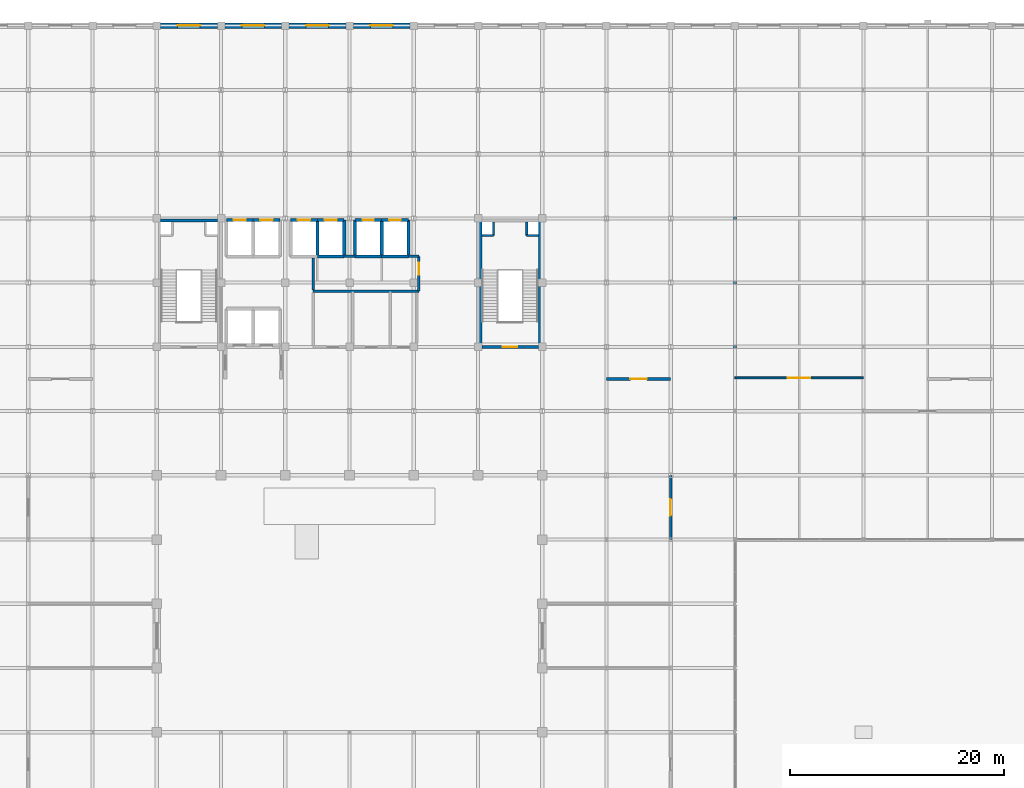
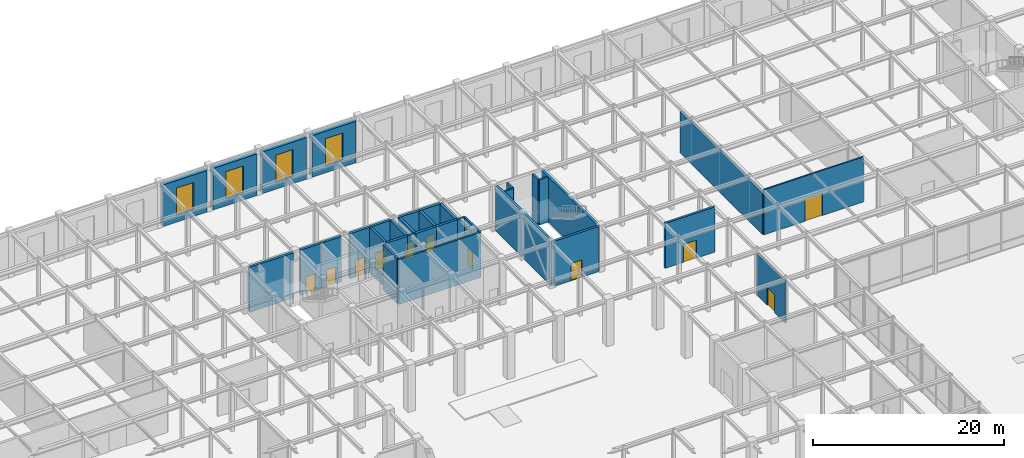
# One storey, part 102 of 108: 35 walls, 11 doors, 4 windows, 15 openings.
"""IFC4 building model written with IfcOpenShell, lengths in metres."""

from ifc_helpers import new_model, si_unit, direction, frame, frame_2d, origin, place, context, subcontext, project, spatial, rectangle, extrude, material, layer, layer_set, type_object, element, fill, save


model = new_model("IFC4")

# Units and contexts
model_context = context("Model", 3, precision=1e-05, world=origin(), true_north=direction((0.0, 1.0)))
body_context = subcontext(model_context, "Body", "Model", "MODEL_VIEW")
ifc_project = project(units=[si_unit("LENGTHUNIT", "METRE"), si_unit("AREAUNIT", "SQUARE_METRE"), si_unit("VOLUMEUNIT", "CUBIC_METRE"), si_unit("PLANEANGLEUNIT", "RADIAN"), si_unit("MASSUNIT", "GRAM", prefix="KILO")], contexts=[model_context])

# Site, building, storey
site_placement = place(None, origin())
site = spatial("IfcSite", under=ifc_project, at=site_placement, CompositionType="ELEMENT")
building_placement = place(site_placement, origin())
building = spatial("IfcBuilding", under=site, at=building_placement, Name="Zlatovratsky Civic Hall", CompositionType="ELEMENT")
storey_placement = place(building_placement, frame((0.0, 0.0, 6.0)))
storey = spatial("IfcBuildingStorey", under=building, at=storey_placement, Name="L02", CompositionType="ELEMENT", Elevation=6.0)

# Wall, opening, door
ifc_material_1 = material(Name="Acoustic ceramic blockwork", Category="masonry")
ifc_layer_1 = layer(ifc_material_1, 0.179931640625)
ifc_layer_set_1 = layer_set([ifc_layer_1], Name="Acoustic ceramic blockwork")
wall_type_1 = type_object("IfcWallType", Name="Wall_AcousticChamberPartition_180", PredefinedType="PARTITIONING", material=ifc_layer_set_1)
wall_1_placement = place(storey_placement, frame((120.0, 81.10009765625, 0.0), z_axis=(0.0, 0.0, 1.0), x_axis=(1.0, 0.0, 0.0)))
wall_1 = element("IfcWall", 1, at=wall_1_placement, inside=storey, type_object=wall_type_1, Name="WL-6128", PredefinedType="PARTITIONING", context=body_context, shape_type="SweptSolid", body=[
    extrude(rectangle(XDim=12.0, YDim=0.179931640625, at=frame_2d((6.0, 0.0))), origin(), (0.0, 0.0, 1.0), 5.760009765625),
])
opening_1_placement = place(wall_1_placement, frame((4.949951171875, 0.0, 0.0)))
opening_1 = element("IfcOpeningElement", 2, at=opening_1_placement, cuts=wall_1, Name="Opening D-11", PredefinedType="OPENING", context=body_context, shape_type="SweptSolid", body=[
    extrude(rectangle(XDim=2.10009765625, YDim=2.89990234375, at=frame_2d((1.050048828125, 1.449951171875))), frame((0.0, 0.10498046875, 0.0), z_axis=(0.0, -1.0, 0.0), x_axis=(1.0, 0.0, 0.0)), (0.0, 0.0, 1.0), 0.209716796875),
])
ifc_material_2 = material(Name="Solid oak joinery in steel frame", Category="steel")
door_type_1 = type_object("IfcDoorType", Name="Door_ChamberFoyerDouble_2100x2900", OperationType="DOUBLE_DOOR_SINGLE_SWING", PredefinedType="DOOR", material=ifc_material_2)
door_1_placement = place(opening_1_placement, origin())
door_1 = element("IfcDoor", 3, at=door_1_placement, inside=storey, type_object=door_type_1, Name="DR-5269", OperationType="DOUBLE_DOOR_SINGLE_SWING", OverallHeight=2.89990234375, OverallWidth=2.10009765625, PredefinedType="DOOR", context=body_context, shape_type="SweptSolid", body=[
    extrude(rectangle(XDim=2.10009765625, YDim=2.89990234375, at=frame_2d((1.050048828125, 1.449951171875))), frame((0.0, 0.02490234375, 0.0), z_axis=(0.0, -1.0, 0.0), x_axis=(1.0, 0.0, 0.0)), (0.0, 0.0, 1.0), 0.050048828125),
])
fill(opening_1, door_1)

ifc_layer_2 = layer(ifc_material_1, 0.260009765625)
ifc_layer_set_2 = layer_set([ifc_layer_2], Name="Acoustic ceramic blockwork")
wall_type_2 = type_object("IfcWallType", Name="Wall_ArchiveCompartment_260", PredefinedType="PARTITIONING", material=ifc_layer_set_2)
wall_2_placement = place(storey_placement, frame((108.0, 81.0, 0.0), z_axis=(0.0, 0.0, 1.0), x_axis=(1.0, 0.0, 0.0)))
wall_2 = element("IfcWall", 4, at=wall_2_placement, inside=storey, type_object=wall_type_2, Name="WL-6135", PredefinedType="PARTITIONING", context=body_context, shape_type="SweptSolid", body=[
    extrude(rectangle(XDim=6.0, YDim=0.260009765625, at=frame_2d((3.0, 0.0))), origin(), (0.0, 0.0, 1.0), 5.760009765625),
])
opening_2_placement = place(wall_2_placement, frame((2.22509765625, 0.0, 0.0)))
opening_2 = element("IfcOpeningElement", 5, at=opening_2_placement, cuts=wall_2, Name="Opening D-15", PredefinedType="OPENING", context=body_context, shape_type="SweptSolid", body=[
    extrude(rectangle(XDim=1.550048828125, YDim=2.300048828125, at=frame_2d((0.77490234375, 1.14990234375))), frame((0.0, 0.14501953125, 0.0), z_axis=(0.0, -1.0, 0.0), x_axis=(1.0, 0.0, 0.0)), (0.0, 0.0, 1.0), 0.289794921875),
])
ifc_material_3 = material(Name="Insulated painted fire-rated steel leaf", Category="steel")
door_type_2 = type_object("IfcDoorType", Name="Door_CompactArchiveFire_1550x2300", OperationType="DOUBLE_DOOR_SINGLE_SWING", PredefinedType="DOOR", material=ifc_material_3)
door_2_placement = place(opening_2_placement, origin())
door_2 = element("IfcDoor", 6, at=door_2_placement, inside=storey, type_object=door_type_2, Name="DR-5276", OperationType="DOUBLE_DOOR_SINGLE_SWING", OverallHeight=2.300048828125, OverallWidth=1.550048828125, PredefinedType="DOOR", context=body_context, shape_type="SweptSolid", body=[
    extrude(rectangle(XDim=1.550048828125, YDim=2.300048828125, at=frame_2d((0.77490234375, 1.14990234375))), frame((0.0, 0.02490234375, 0.0), z_axis=(0.0, -1.0, 0.0), x_axis=(1.0, 0.0, 0.0)), (0.0, 0.0, 1.0), 0.050048828125),
])
fill(opening_2, door_2)

wall_3_placement = place(storey_placement, frame((114.0, 66.0, 0.0), z_axis=(0.0, 0.0, 1.0), x_axis=(0.0, 1.0, 0.0)))
wall_3 = element("IfcWall", 7, at=wall_3_placement, inside=storey, type_object=wall_type_2, Name="WL-6140", PredefinedType="PARTITIONING", context=body_context, shape_type="SweptSolid", body=[
    extrude(rectangle(XDim=6.0, YDim=0.260009765625, at=frame_2d((3.0, 0.0))), origin(), (0.0, 0.0, 1.0), 5.320068359375),
])
opening_3_placement = place(wall_3_placement, frame((2.22509765625, 0.0, 0.0)))
opening_3 = element("IfcOpeningElement", 8, at=opening_3_placement, cuts=wall_3, Name="Opening D-15", PredefinedType="OPENING", context=body_context, shape_type="SweptSolid", body=[
    extrude(rectangle(XDim=1.550048828125, YDim=2.300048828125, at=frame_2d((0.77490234375, 1.14990234375))), frame((0.0, 0.14501953125, 0.0), z_axis=(0.0, -1.0, 0.0), x_axis=(1.0, 0.0, 0.0)), (0.0, 0.0, 1.0), 0.289794921875),
])
door_3_placement = place(opening_3_placement, origin())
door_3 = element("IfcDoor", 9, at=door_3_placement, inside=storey, type_object=door_type_2, Name="DR-5281", OperationType="DOUBLE_DOOR_SINGLE_SWING", OverallHeight=2.300048828125, OverallWidth=1.550048828125, PredefinedType="DOOR", context=body_context, shape_type="SweptSolid", body=[
    extrude(rectangle(XDim=1.550048828125, YDim=2.300048828125, at=frame_2d((0.77490234375, 1.14990234375))), frame((0.0, 0.02490234375, 0.0), z_axis=(0.0, -1.0, 0.0), x_axis=(1.0, 0.0, 0.0)), (0.0, 0.0, 1.0), 0.050048828125),
])
fill(opening_3, door_3)

# Wall
wall_4_placement = place(storey_placement, frame((120.0, 81.14990234375, 0.0), z_axis=(0.0, 0.0, 1.0), x_axis=(0.0, 1.0, 0.0)))
element("IfcWall", 10, at=wall_4_placement, inside=storey, type_object=wall_type_2, Name="WL-6145", PredefinedType="PARTITIONING", context=body_context, shape_type="SweptSolid", body=[
    extrude(rectangle(XDim=17.2001953125, YDim=0.260009765625, at=frame_2d((8.60009765625, 0.0))), origin(), (0.0, 0.0, 1.0), 5.320068359375),
])

# Wall, opening, window
ifc_layer_3 = layer(ifc_material_1, 0.39990234375, Name="Backing")
ifc_material_4 = material(Name="Polished Karelian granite ashlar", Category="masonry")
ifc_layer_4 = layer(ifc_material_4, 0.139892578125, Name="Finish")
ifc_layer_set_3 = layer_set([ifc_layer_3, ifc_layer_4], Name="Acoustic ceramic blockwork")
wall_type_3 = type_object("IfcWallType", Name="Wall_PodiumGraniteArcade_540", PredefinedType="SOLIDWALL", material=ifc_layer_set_3)
wall_5_placement = place(storey_placement, frame((66.35009765625, 114.0, 0.0), z_axis=(0.0, 0.0, 1.0), x_axis=(1.0, 0.0, 0.0)))
wall_5 = element("IfcWall", 11, at=wall_5_placement, inside=storey, type_object=wall_type_3, Name="WL-0193", PredefinedType="SOLIDWALL", context=body_context, shape_type="SweptSolid", body=[
    extrude(rectangle(XDim=5.2998046875, YDim=0.5400390625, at=frame_2d((2.64990234375, 0.0))), origin(), (0.0, 0.0, 1.0), 5.31005859375),
])
opening_4_placement = place(wall_5_placement, frame((1.60009765625, 0.0, 0.85009765625)))
opening_4 = element("IfcOpeningElement", 12, at=opening_4_placement, cuts=wall_5, Name="Opening WN-05", PredefinedType="OPENING", context=body_context, shape_type="SweptSolid", body=[
    extrude(rectangle(XDim=2.10009765625, YDim=3.5, at=frame_2d((1.050048828125, 1.75))), frame((0.0, 0.284912109375, 0.0), z_axis=(0.0, -1.0, 0.0), x_axis=(1.0, 0.0, 0.0)), (0.0, 0.0, 1.0), 0.56982421875),
])
ifc_material_5 = material(Name="Low-E laminated double glazing", Category="glass")
window_type = type_object("IfcWindowType", Name="Window_PianoNobileWing_2100x3500", PartitioningType="SINGLE_PANEL", PredefinedType="WINDOW", material=ifc_material_5)
window_1_placement = place(opening_4_placement, origin())
window_1 = element("IfcWindow", 13, at=window_1_placement, inside=storey, type_object=window_type, Name="WN-0111", OverallHeight=3.5, OverallWidth=2.10009765625, PartitioningType="SINGLE_PANEL", PredefinedType="WINDOW", context=body_context, shape_type="SweptSolid", body=[
    extrude(rectangle(XDim=2.10009765625, YDim=3.5, at=frame_2d((1.050048828125, 1.75))), frame((0.0, 0.030029296875, 0.0), z_axis=(0.0, -1.0, 0.0), x_axis=(1.0, 0.0, 0.0)), (0.0, 0.0, 1.0), 0.06005859375),
])
fill(opening_4, window_1)

wall_6_placement = place(storey_placement, frame((72.35009765625, 114.0, 0.0), z_axis=(0.0, 0.0, 1.0), x_axis=(1.0, 0.0, 0.0)))
wall_6 = element("IfcWall", 14, at=wall_6_placement, inside=storey, type_object=wall_type_3, Name="WL-0194", PredefinedType="SOLIDWALL", context=body_context, shape_type="SweptSolid", body=[
    extrude(rectangle(XDim=5.2998046875, YDim=0.5400390625, at=frame_2d((2.64990234375, 0.0))), origin(), (0.0, 0.0, 1.0), 5.31005859375),
])
opening_5_placement = place(wall_6_placement, frame((1.60009765625, 0.0, 0.85009765625)))
opening_5 = element("IfcOpeningElement", 15, at=opening_5_placement, cuts=wall_6, Name="Opening WN-05", PredefinedType="OPENING", context=body_context, shape_type="SweptSolid", body=[
    extrude(rectangle(XDim=2.10009765625, YDim=3.5, at=frame_2d((1.050048828125, 1.75))), frame((0.0, 0.284912109375, 0.0), z_axis=(0.0, -1.0, 0.0), x_axis=(1.0, 0.0, 0.0)), (0.0, 0.0, 1.0), 0.56982421875),
])
window_2_placement = place(opening_5_placement, origin())
window_2 = element("IfcWindow", 16, at=window_2_placement, inside=storey, type_object=window_type, Name="WN-0112", OverallHeight=3.5, OverallWidth=2.10009765625, PartitioningType="SINGLE_PANEL", PredefinedType="WINDOW", context=body_context, shape_type="SweptSolid", body=[
    extrude(rectangle(XDim=2.10009765625, YDim=3.5, at=frame_2d((1.050048828125, 1.75))), frame((0.0, 0.030029296875, 0.0), z_axis=(0.0, -1.0, 0.0), x_axis=(1.0, 0.0, 0.0)), (0.0, 0.0, 1.0), 0.06005859375),
])
fill(opening_5, window_2)

wall_7_placement = place(storey_placement, frame((78.35009765625, 114.0, 0.0), z_axis=(0.0, 0.0, 1.0), x_axis=(1.0, 0.0, 0.0)))
wall_7 = element("IfcWall", 17, at=wall_7_placement, inside=storey, type_object=wall_type_3, Name="WL-0195", PredefinedType="SOLIDWALL", context=body_context, shape_type="SweptSolid", body=[
    extrude(rectangle(XDim=5.2998046875, YDim=0.5400390625, at=frame_2d((2.64990234375, 0.0))), origin(), (0.0, 0.0, 1.0), 5.31005859375),
])
opening_6_placement = place(wall_7_placement, frame((1.60009765625, 0.0, 0.85009765625)))
opening_6 = element("IfcOpeningElement", 18, at=opening_6_placement, cuts=wall_7, Name="Opening WN-05", PredefinedType="OPENING", context=body_context, shape_type="SweptSolid", body=[
    extrude(rectangle(XDim=2.10009765625, YDim=3.5, at=frame_2d((1.050048828125, 1.75))), frame((0.0, 0.284912109375, 0.0), z_axis=(0.0, -1.0, 0.0), x_axis=(1.0, 0.0, 0.0)), (0.0, 0.0, 1.0), 0.56982421875),
])
window_3_placement = place(opening_6_placement, origin())
window_3 = element("IfcWindow", 19, at=window_3_placement, inside=storey, type_object=window_type, Name="WN-0113", OverallHeight=3.5, OverallWidth=2.10009765625, PartitioningType="SINGLE_PANEL", PredefinedType="WINDOW", context=body_context, shape_type="SweptSolid", body=[
    extrude(rectangle(XDim=2.10009765625, YDim=3.5, at=frame_2d((1.050048828125, 1.75))), frame((0.0, 0.030029296875, 0.0), z_axis=(0.0, -1.0, 0.0), x_axis=(1.0, 0.0, 0.0)), (0.0, 0.0, 1.0), 0.06005859375),
])
fill(opening_6, window_3)

wall_8_placement = place(storey_placement, frame((84.35009765625, 114.0, 0.0), z_axis=(0.0, 0.0, 1.0), x_axis=(1.0, 0.0, 0.0)))
wall_8 = element("IfcWall", 20, at=wall_8_placement, inside=storey, type_object=wall_type_3, Name="WL-0196", PredefinedType="SOLIDWALL", context=body_context, shape_type="SweptSolid", body=[
    extrude(rectangle(XDim=5.2998046875, YDim=0.5400390625, at=frame_2d((2.64990234375, 0.0))), origin(), (0.0, 0.0, 1.0), 5.31005859375),
])
opening_7_placement = place(wall_8_placement, frame((1.60009765625, 0.0, 0.85009765625)))
opening_7 = element("IfcOpeningElement", 21, at=opening_7_placement, cuts=wall_8, Name="Opening WN-05", PredefinedType="OPENING", context=body_context, shape_type="SweptSolid", body=[
    extrude(rectangle(XDim=2.10009765625, YDim=3.5, at=frame_2d((1.050048828125, 1.75))), frame((0.0, 0.284912109375, 0.0), z_axis=(0.0, -1.0, 0.0), x_axis=(1.0, 0.0, 0.0)), (0.0, 0.0, 1.0), 0.56982421875),
])
window_4_placement = place(opening_7_placement, origin())
window_4 = element("IfcWindow", 22, at=window_4_placement, inside=storey, type_object=window_type, Name="WN-0114", OverallHeight=3.5, OverallWidth=2.10009765625, PartitioningType="SINGLE_PANEL", PredefinedType="WINDOW", context=body_context, shape_type="SweptSolid", body=[
    extrude(rectangle(XDim=2.10009765625, YDim=3.5, at=frame_2d((1.050048828125, 1.75))), frame((0.0, 0.030029296875, 0.0), z_axis=(0.0, -1.0, 0.0), x_axis=(1.0, 0.0, 0.0)), (0.0, 0.0, 1.0), 0.06005859375),
])
fill(opening_7, window_4)

# Walls
ifc_layer_5 = layer(ifc_material_1, 0.219970703125)
ifc_layer_set_4 = layer_set([ifc_layer_5], Name="Acoustic ceramic blockwork")
wall_type_4 = type_object("IfcWallType", Name="Wall_SanitaryWetCore_220", PredefinedType="PARTITIONING", material=ifc_layer_set_4)
wall_9_placement = place(storey_placement, frame((97.449951171875, 94.39990234375, 0.0), z_axis=(0.0, 0.0, 1.0), x_axis=(0.0, 1.0, 0.0)))
element("IfcWall", 23, at=wall_9_placement, inside=storey, type_object=wall_type_4, Name="WL-5179", PredefinedType="PARTITIONING", context=body_context, shape_type="SweptSolid", body=[
    extrude(rectangle(XDim=1.25, YDim=0.219970703125, at=frame_2d((0.625, 0.0))), origin(), (0.0, 0.0, 1.0), 5.760009765625),
])
wall_10_placement = place(storey_placement, frame((96.35009765625, 94.39990234375, 0.0), z_axis=(0.0, 0.0, 1.0), x_axis=(1.0, 0.0, 0.0)))
element("IfcWall", 24, at=wall_10_placement, inside=storey, type_object=wall_type_4, Name="WL-5180", PredefinedType="PARTITIONING", context=body_context, shape_type="SweptSolid", body=[
    extrude(rectangle(XDim=1.099853515625, YDim=0.219970703125, at=frame_2d((0.5498046875, 0.0))), origin(), (0.0, 0.0, 1.0), 5.760009765625),
])
wall_11_placement = place(storey_placement, frame((100.550048828125, 94.39990234375, 0.0), z_axis=(0.0, 0.0, 1.0), x_axis=(0.0, 1.0, 0.0)))
element("IfcWall", 25, at=wall_11_placement, inside=storey, type_object=wall_type_4, Name="WL-5181", PredefinedType="PARTITIONING", context=body_context, shape_type="SweptSolid", body=[
    extrude(rectangle(XDim=1.25, YDim=0.219970703125, at=frame_2d((0.625, 0.0))), origin(), (0.0, 0.0, 1.0), 5.760009765625),
])
wall_12_placement = place(storey_placement, frame((100.550048828125, 94.39990234375, 0.0), z_axis=(0.0, 0.0, 1.0), x_axis=(1.0, 0.0, 0.0)))
element("IfcWall", 26, at=wall_12_placement, inside=storey, type_object=wall_type_4, Name="WL-5182", PredefinedType="PARTITIONING", context=body_context, shape_type="SweptSolid", body=[
    extrude(rectangle(XDim=1.099853515625, YDim=0.219970703125, at=frame_2d((0.5498046875, 0.0))), origin(), (0.0, 0.0, 1.0), 5.760009765625),
])
wall_13_placement = place(storey_placement, frame((80.60009765625, 89.199951171875, 0.0), z_axis=(0.0, 0.0, 1.0), x_axis=(1.0, 0.0, 0.0)))
element("IfcWall", 27, at=wall_13_placement, inside=storey, type_object=wall_type_4, Name="WL-6115", PredefinedType="PARTITIONING", context=body_context, shape_type="SweptSolid", body=[
    extrude(rectangle(XDim=9.869873046875, YDim=0.219970703125, at=frame_2d((4.93505859375, 0.0))), origin(), (0.0, 0.0, 1.0), 5.760009765625),
])

# Wall, opening, door
wall_14_placement = place(storey_placement, frame((90.469970703125, 89.199951171875, 0.0), z_axis=(0.0, 0.0, 1.0), x_axis=(0.0, 1.0, 0.0)))
wall_14 = element("IfcWall", 28, at=wall_14_placement, inside=storey, type_object=wall_type_4, Name="WL-6116", PredefinedType="PARTITIONING", context=body_context, shape_type="SweptSolid", body=[
    extrude(rectangle(XDim=3.25, YDim=0.219970703125, at=frame_2d((1.625, 0.0))), origin(), (0.0, 0.0, 1.0), 5.760009765625),
])
opening_8_placement = place(wall_14_placement, frame((1.550048828125, 0.0, 0.0)))
opening_8 = element("IfcOpeningElement", 29, at=opening_8_placement, cuts=wall_14, Name="Opening D-30", PredefinedType="OPENING", context=body_context, shape_type="SweptSolid", body=[
    extrude(rectangle(XDim=1.10009765625, YDim=2.14990234375, at=frame_2d((0.550048828125, 1.074951171875))), frame((0.0, 0.125, 0.0), z_axis=(0.0, -1.0, 0.0), x_axis=(1.0, 0.0, 0.0)), (0.0, 0.0, 1.0), 0.249755859375),
])
door_type_3 = type_object("IfcDoorType", Name="Door_ElectricalRoom_1100x2150", OperationType="NOTDEFINED", PredefinedType="DOOR", material=ifc_material_3)
door_4_placement = place(opening_8_placement, origin())
door_4 = element("IfcDoor", 30, at=door_4_placement, inside=storey, type_object=door_type_3, Name="DR-5257", OperationType="SINGLE_SWING_RIGHT", OverallHeight=2.14990234375, OverallWidth=1.10009765625, PredefinedType="DOOR", context=body_context, shape_type="SweptSolid", body=[
    extrude(rectangle(XDim=1.10009765625, YDim=2.14990234375, at=frame_2d((0.550048828125, 1.074951171875))), frame((0.0, 0.02490234375, 0.0), z_axis=(0.0, -1.0, 0.0), x_axis=(1.0, 0.0, 0.0)), (0.0, 0.0, 1.0), 0.050048828125),
])
fill(opening_8, door_4)

# Walls
wall_15_placement = place(storey_placement, frame((80.60009765625, 89.31005859375, 0.0), z_axis=(0.0, 0.0, 1.0), x_axis=(0.0, 1.0, 0.0)))
element("IfcWall", 31, at=wall_15_placement, inside=storey, type_object=wall_type_4, Name="WL-6157", PredefinedType="PARTITIONING", context=body_context, shape_type="SweptSolid", body=[
    extrude(rectangle(XDim=2.989990234375, YDim=0.219970703125, at=frame_2d((1.4951171875, 0.0))), origin(), (0.0, 0.0, 1.0), 5.760009765625),
])
wall_16_placement = place(storey_placement, frame((83.5, 92.449951171875, 0.0), z_axis=(0.0, 0.0, 1.0), x_axis=(1.0, 0.0, 0.0)))
element("IfcWall", 32, at=wall_16_placement, inside=storey, type_object=wall_type_4, Name="WL-6158", PredefinedType="PARTITIONING", context=body_context, shape_type="SweptSolid", body=[
    extrude(rectangle(XDim=1.0, YDim=0.219970703125, at=frame_2d((0.5, 0.0))), origin(), (0.0, 0.0, 1.0), 5.760009765625),
])
wall_17_placement = place(storey_placement, frame((89.5, 92.449951171875, 0.0), z_axis=(0.0, 0.0, 1.0), x_axis=(1.0, 0.0, 0.0)))
element("IfcWall", 33, at=wall_17_placement, inside=storey, type_object=wall_type_4, Name="WL-6159", PredefinedType="PARTITIONING", context=body_context, shape_type="SweptSolid", body=[
    extrude(rectangle(XDim=0.969970703125, YDim=0.219970703125, at=frame_2d((0.48486328125, 0.0))), origin(), (0.0, 0.0, 1.0), 5.760009765625),
])
ifc_material_6 = material(Name="Concrete C35/45 (B40)", Category="concrete")
ifc_layer_6 = layer(ifc_material_6, 0.300048828125)
ifc_layer_set_5 = layer_set([ifc_layer_6], Name="Concrete C35/45 (B40)")
wall_type_5 = type_object("IfcWallType", Name="Wall_StairAndLiftShaft_300", PredefinedType="SHEAR", material=ifc_layer_set_5)
wall_18_placement = place(storey_placement, frame((66.35009765625, 95.800048828125, 0.0), z_axis=(0.0, 0.0, 1.0), x_axis=(1.0, 0.0, 0.0)))
element("IfcWall", 34, at=wall_18_placement, inside=storey, type_object=wall_type_5, Name="WL-5018", PredefinedType="SHEAR", context=body_context, shape_type="SweptSolid", body=[
    extrude(rectangle(XDim=5.2998046875, YDim=0.300048828125, at=frame_2d((2.64990234375, 0.0))), origin(), (0.0, 0.0, 1.0), 5.760009765625),
])

# Wall, opening, door
wall_19_placement = place(storey_placement, frame((96.35009765625, 84.0, 0.0), z_axis=(0.0, 0.0, 1.0), x_axis=(1.0, 0.0, 0.0)))
wall_19 = element("IfcWall", 35, at=wall_19_placement, inside=storey, type_object=wall_type_5, Name="WL-5175", PredefinedType="SHEAR", context=body_context, shape_type="SweptSolid", body=[
    extrude(rectangle(XDim=5.2998046875, YDim=0.300048828125, at=frame_2d((2.64990234375, 0.0))), origin(), (0.0, 0.0, 1.0), 5.760009765625),
])
opening_9_placement = place(wall_19_placement, frame((1.97509765625, 0.0, 0.0)))
opening_9 = element("IfcOpeningElement", 36, at=opening_9_placement, cuts=wall_19, Name="Opening D-17", PredefinedType="OPENING", context=body_context, shape_type="SweptSolid", body=[
    extrude(rectangle(XDim=1.35009765625, YDim=2.199951171875, at=frame_2d((0.675048828125, 1.10009765625))), frame((0.0, 0.1650390625, 0.0), z_axis=(0.0, -1.0, 0.0), x_axis=(1.0, 0.0, 0.0)), (0.0, 0.0, 1.0), 0.329833984375),
])
door_type_4 = type_object("IfcDoorType", Name="Door_StairwellFireTower_1350x2200", OperationType="NOTDEFINED", PredefinedType="DOOR", material=ifc_material_3)
door_5_placement = place(opening_9_placement, origin())
door_5 = element("IfcDoor", 37, at=door_5_placement, inside=storey, type_object=door_type_4, Name="DR-5022", OperationType="SINGLE_SWING_LEFT", OverallHeight=2.199951171875, OverallWidth=1.35009765625, PredefinedType="DOOR", context=body_context, shape_type="SweptSolid", body=[
    extrude(rectangle(XDim=1.35009765625, YDim=2.199951171875, at=frame_2d((0.675048828125, 1.10009765625))), frame((0.0, 0.02490234375, 0.0), z_axis=(0.0, -1.0, 0.0), x_axis=(1.0, 0.0, 0.0)), (0.0, 0.0, 1.0), 0.050048828125),
])
fill(opening_9, door_5)

# Walls
for number, where, z_axis, x_axis, name in (
    (38, (96.199951171875, 84.0, 0.0), (0.0, 0.0, 1.0), (0.0, 1.0, 0.0), "WL-5177"),
    (39, (101.800048828125, 84.0, 0.0), (0.0, 0.0, 1.0), (0.0, 1.0, 0.0), "WL-5178"),
):
    element("IfcWall", number, at=place(storey_placement, frame(where, z_axis=z_axis, x_axis=x_axis)), inside=storey, type_object=wall_type_5, Name=name, PredefinedType="SHEAR", context=body_context, shape_type="SweptSolid", body=[
        extrude(rectangle(XDim=11.800048828125, YDim=0.300048828125, at=frame_2d((5.89990234375, 0.0))), origin(), (0.0, 0.0, 1.0), 5.760009765625),
    ])

# Wall, opening, door
wall_20_placement = place(storey_placement, frame((72.5, 95.85009765625, 0.0), z_axis=(0.0, 0.0, 1.0), x_axis=(1.0, 0.0, 0.0)))
wall_20 = element("IfcWall", 40, at=wall_20_placement, inside=storey, type_object=wall_type_5, Name="WL-5632", PredefinedType="SHEAR", context=body_context, shape_type="SweptSolid", body=[
    extrude(rectangle(XDim=2.5, YDim=0.300048828125, at=frame_2d((1.25, 0.0))), origin(), (0.0, 0.0, 1.0), 5.760009765625),
])
opening_10_placement = place(wall_20_placement, frame((0.675048828125, 0.0, 0.0)))
opening_10 = element("IfcOpeningElement", 41, at=opening_10_placement, cuts=wall_20, Name="Opening LD-02", PredefinedType="OPENING", context=body_context, shape_type="SweptSolid", body=[
    extrude(rectangle(XDim=1.14990234375, YDim=2.14990234375, at=frame_2d((0.574951171875, 1.074951171875))), frame((0.0, 0.1650390625, 0.0), z_axis=(0.0, -1.0, 0.0), x_axis=(1.0, 0.0, 0.0)), (0.0, 0.0, 1.0), 0.329833984375),
])
ifc_material_7 = material(Name="Brushed stainless steel AISI 304", Category="steel")
door_type_5 = type_object("IfcDoorType", Name="Door_LiftLandingHighRise_1150x2150", OperationType="DOUBLE_DOOR_SLIDING", PredefinedType="DOOR", material=ifc_material_7)
door_6_placement = place(opening_10_placement, origin())
door_6 = element("IfcDoor", 42, at=door_6_placement, inside=storey, type_object=door_type_5, Name="Lift landing door LD-5099", OperationType="DOUBLE_DOOR_SLIDING", OverallHeight=2.14990234375, OverallWidth=1.14990234375, PredefinedType="DOOR", context=body_context, shape_type="SweptSolid", body=[
    extrude(rectangle(XDim=1.14990234375, YDim=2.14990234375, at=frame_2d((0.574951171875, 1.074951171875))), frame((0.0, 0.02490234375, 0.0), z_axis=(0.0, -1.0, 0.0), x_axis=(1.0, 0.0, 0.0)), (0.0, 0.0, 1.0), 0.050048828125),
])
fill(opening_10, door_6)

wall_21_placement = place(storey_placement, frame((75.0, 95.85009765625, 0.0), z_axis=(0.0, 0.0, 1.0), x_axis=(1.0, 0.0, 0.0)))
wall_21 = element("IfcWall", 43, at=wall_21_placement, inside=storey, type_object=wall_type_5, Name="WL-5691", PredefinedType="SHEAR", context=body_context, shape_type="SweptSolid", body=[
    extrude(rectangle(XDim=2.5, YDim=0.300048828125, at=frame_2d((1.25, 0.0))), origin(), (0.0, 0.0, 1.0), 5.760009765625),
])
opening_11_placement = place(wall_21_placement, frame((0.675048828125, 0.0, 0.0)))
opening_11 = element("IfcOpeningElement", 44, at=opening_11_placement, cuts=wall_21, Name="Opening LD-02", PredefinedType="OPENING", context=body_context, shape_type="SweptSolid", body=[
    extrude(rectangle(XDim=1.14990234375, YDim=2.14990234375, at=frame_2d((0.574951171875, 1.074951171875))), frame((0.0, 0.1650390625, 0.0), z_axis=(0.0, -1.0, 0.0), x_axis=(1.0, 0.0, 0.0)), (0.0, 0.0, 1.0), 0.329833984375),
])
door_7_placement = place(opening_11_placement, origin())
door_7 = element("IfcDoor", 45, at=door_7_placement, inside=storey, type_object=door_type_5, Name="Lift landing door LD-5118", OperationType="DOUBLE_DOOR_SLIDING", OverallHeight=2.14990234375, OverallWidth=1.14990234375, PredefinedType="DOOR", context=body_context, shape_type="SweptSolid", body=[
    extrude(rectangle(XDim=1.14990234375, YDim=2.14990234375, at=frame_2d((0.574951171875, 1.074951171875))), frame((0.0, 0.02490234375, 0.0), z_axis=(0.0, -1.0, 0.0), x_axis=(1.0, 0.0, 0.0)), (0.0, 0.0, 1.0), 0.050048828125),
])
fill(opening_11, door_7)

wall_22_placement = place(storey_placement, frame((78.5, 95.85009765625, 0.0), z_axis=(0.0, 0.0, 1.0), x_axis=(1.0, 0.0, 0.0)))
wall_22 = element("IfcWall", 46, at=wall_22_placement, inside=storey, type_object=wall_type_5, Name="WL-5765", PredefinedType="SHEAR", context=body_context, shape_type="SweptSolid", body=[
    extrude(rectangle(XDim=2.5, YDim=0.300048828125, at=frame_2d((1.25, 0.0))), origin(), (0.0, 0.0, 1.0), 5.760009765625),
])
opening_12_placement = place(wall_22_placement, frame((0.675048828125, 0.0, 0.0)))
opening_12 = element("IfcOpeningElement", 47, at=opening_12_placement, cuts=wall_22, Name="Opening LD-02", PredefinedType="OPENING", context=body_context, shape_type="SweptSolid", body=[
    extrude(rectangle(XDim=1.14990234375, YDim=2.14990234375, at=frame_2d((0.574951171875, 1.074951171875))), frame((0.0, 0.1650390625, 0.0), z_axis=(0.0, -1.0, 0.0), x_axis=(1.0, 0.0, 0.0)), (0.0, 0.0, 1.0), 0.329833984375),
])
door_8_placement = place(opening_12_placement, origin())
door_8 = element("IfcDoor", 48, at=door_8_placement, inside=storey, type_object=door_type_5, Name="Lift landing door LD-5137", OperationType="DOUBLE_DOOR_SLIDING", OverallHeight=2.14990234375, OverallWidth=1.14990234375, PredefinedType="DOOR", context=body_context, shape_type="SweptSolid", body=[
    extrude(rectangle(XDim=1.14990234375, YDim=2.14990234375, at=frame_2d((0.574951171875, 1.074951171875))), frame((0.0, 0.02490234375, 0.0), z_axis=(0.0, -1.0, 0.0), x_axis=(1.0, 0.0, 0.0)), (0.0, 0.0, 1.0), 0.050048828125),
])
fill(opening_12, door_8)

wall_23_placement = place(storey_placement, frame((81.0, 95.85009765625, 0.0), z_axis=(0.0, 0.0, 1.0), x_axis=(1.0, 0.0, 0.0)))
wall_23 = element("IfcWall", 49, at=wall_23_placement, inside=storey, type_object=wall_type_5, Name="WL-5824", PredefinedType="SHEAR", context=body_context, shape_type="SweptSolid", body=[
    extrude(rectangle(XDim=2.5, YDim=0.300048828125, at=frame_2d((1.25, 0.0))), origin(), (0.0, 0.0, 1.0), 5.760009765625),
])
opening_13_placement = place(wall_23_placement, frame((0.675048828125, 0.0, 0.0)))
opening_13 = element("IfcOpeningElement", 50, at=opening_13_placement, cuts=wall_23, Name="Opening LD-02", PredefinedType="OPENING", context=body_context, shape_type="SweptSolid", body=[
    extrude(rectangle(XDim=1.14990234375, YDim=2.14990234375, at=frame_2d((0.574951171875, 1.074951171875))), frame((0.0, 0.1650390625, 0.0), z_axis=(0.0, -1.0, 0.0), x_axis=(1.0, 0.0, 0.0)), (0.0, 0.0, 1.0), 0.329833984375),
])
door_9_placement = place(opening_13_placement, origin())
door_9 = element("IfcDoor", 51, at=door_9_placement, inside=storey, type_object=door_type_5, Name="Lift landing door LD-5156", OperationType="DOUBLE_DOOR_SLIDING", OverallHeight=2.14990234375, OverallWidth=1.14990234375, PredefinedType="DOOR", context=body_context, shape_type="SweptSolid", body=[
    extrude(rectangle(XDim=1.14990234375, YDim=2.14990234375, at=frame_2d((0.574951171875, 1.074951171875))), frame((0.0, 0.02490234375, 0.0), z_axis=(0.0, -1.0, 0.0), x_axis=(1.0, 0.0, 0.0)), (0.0, 0.0, 1.0), 0.050048828125),
])
fill(opening_13, door_9)

# Walls
wall_24_placement = place(storey_placement, frame((81.0, 92.449951171875, 0.0), z_axis=(0.0, 0.0, 1.0), x_axis=(1.0, 0.0, 0.0)))
element("IfcWall", 52, at=wall_24_placement, inside=storey, type_object=wall_type_5, Name="WL-5825", PredefinedType="SHEAR", context=body_context, shape_type="SweptSolid", body=[
    extrude(rectangle(XDim=2.5, YDim=0.300048828125, at=frame_2d((1.25, 0.0))), origin(), (0.0, 0.0, 1.0), 5.760009765625),
])
for number, where, z_axis, x_axis, name in (
    (53, (81.0, 92.449951171875, 0.0), (0.0, 0.0, 1.0), (0.0, 1.0, 0.0), "WL-5826"),
    (54, (83.5, 92.449951171875, 0.0), (0.0, 0.0, 1.0), (0.0, 1.0, 0.0), "WL-5827"),
):
    element("IfcWall", number, at=place(storey_placement, frame(where, z_axis=z_axis, x_axis=x_axis)), inside=storey, type_object=wall_type_5, Name=name, PredefinedType="SHEAR", context=body_context, shape_type="SweptSolid", body=[
        extrude(rectangle(XDim=3.400146484375, YDim=0.300048828125, at=frame_2d((1.7001953125, 0.0))), origin(), (0.0, 0.0, 1.0), 5.760009765625),
    ])

# Wall, opening, door
wall_25_placement = place(storey_placement, frame((84.5, 95.85009765625, 0.0), z_axis=(0.0, 0.0, 1.0), x_axis=(1.0, 0.0, 0.0)))
wall_25 = element("IfcWall", 55, at=wall_25_placement, inside=storey, type_object=wall_type_5, Name="WL-5898", PredefinedType="SHEAR", context=body_context, shape_type="SweptSolid", body=[
    extrude(rectangle(XDim=2.5, YDim=0.300048828125, at=frame_2d((1.25, 0.0))), origin(), (0.0, 0.0, 1.0), 5.760009765625),
])
opening_14_placement = place(wall_25_placement, frame((0.72509765625, 0.0, 0.0)))
opening_14 = element("IfcOpeningElement", 56, at=opening_14_placement, cuts=wall_25, Name="Opening LD-03", PredefinedType="OPENING", context=body_context, shape_type="SweptSolid", body=[
    extrude(rectangle(XDim=1.050048828125, YDim=2.10009765625, at=frame_2d((0.52490234375, 1.050048828125))), frame((0.0, 0.1650390625, 0.0), z_axis=(0.0, -1.0, 0.0), x_axis=(1.0, 0.0, 0.0)), (0.0, 0.0, 1.0), 0.329833984375),
])
door_type_6 = type_object("IfcDoorType", Name="Door_LiftLandingMidRise_1050x2100", OperationType="DOUBLE_DOOR_SLIDING", PredefinedType="DOOR", material=ifc_material_7)
door_10_placement = place(opening_14_placement, origin())
door_10 = element("IfcDoor", 57, at=door_10_placement, inside=storey, type_object=door_type_6, Name="Lift landing door LD-5175", OperationType="DOUBLE_DOOR_SLIDING", OverallHeight=2.10009765625, OverallWidth=1.050048828125, PredefinedType="DOOR", context=body_context, shape_type="SweptSolid", body=[
    extrude(rectangle(XDim=1.050048828125, YDim=2.10009765625, at=frame_2d((0.52490234375, 1.050048828125))), frame((0.0, 0.02490234375, 0.0), z_axis=(0.0, -1.0, 0.0), x_axis=(1.0, 0.0, 0.0)), (0.0, 0.0, 1.0), 0.050048828125),
])
fill(opening_14, door_10)

# Walls
wall_26_placement = place(storey_placement, frame((84.5, 92.449951171875, 0.0), z_axis=(0.0, 0.0, 1.0), x_axis=(1.0, 0.0, 0.0)))
element("IfcWall", 58, at=wall_26_placement, inside=storey, type_object=wall_type_5, Name="WL-5899", PredefinedType="SHEAR", context=body_context, shape_type="SweptSolid", body=[
    extrude(rectangle(XDim=2.5, YDim=0.300048828125, at=frame_2d((1.25, 0.0))), origin(), (0.0, 0.0, 1.0), 5.760009765625),
])
wall_27_placement = place(storey_placement, frame((84.5, 92.449951171875, 0.0), z_axis=(0.0, 0.0, 1.0), x_axis=(0.0, 1.0, 0.0)))
element("IfcWall", 59, at=wall_27_placement, inside=storey, type_object=wall_type_5, Name="WL-5900", PredefinedType="SHEAR", context=body_context, shape_type="SweptSolid", body=[
    extrude(rectangle(XDim=3.400146484375, YDim=0.300048828125, at=frame_2d((1.7001953125, 0.0))), origin(), (0.0, 0.0, 1.0), 5.760009765625),
])

# Wall, opening, door
wall_28_placement = place(storey_placement, frame((87.0, 95.85009765625, 0.0), z_axis=(0.0, 0.0, 1.0), x_axis=(1.0, 0.0, 0.0)))
wall_28 = element("IfcWall", 60, at=wall_28_placement, inside=storey, type_object=wall_type_5, Name="WL-5933", PredefinedType="SHEAR", context=body_context, shape_type="SweptSolid", body=[
    extrude(rectangle(XDim=2.5, YDim=0.300048828125, at=frame_2d((1.25, 0.0))), origin(), (0.0, 0.0, 1.0), 5.760009765625),
])
opening_15_placement = place(wall_28_placement, frame((0.72509765625, 0.0, 0.0)))
opening_15 = element("IfcOpeningElement", 61, at=opening_15_placement, cuts=wall_28, Name="Opening LD-03", PredefinedType="OPENING", context=body_context, shape_type="SweptSolid", body=[
    extrude(rectangle(XDim=1.050048828125, YDim=2.10009765625, at=frame_2d((0.52490234375, 1.050048828125))), frame((0.0, 0.1650390625, 0.0), z_axis=(0.0, -1.0, 0.0), x_axis=(1.0, 0.0, 0.0)), (0.0, 0.0, 1.0), 0.329833984375),
])
door_11_placement = place(opening_15_placement, origin())
door_11 = element("IfcDoor", 62, at=door_11_placement, inside=storey, type_object=door_type_6, Name="Lift landing door LD-5186", OperationType="DOUBLE_DOOR_SLIDING", OverallHeight=2.10009765625, OverallWidth=1.050048828125, PredefinedType="DOOR", context=body_context, shape_type="SweptSolid", body=[
    extrude(rectangle(XDim=1.050048828125, YDim=2.10009765625, at=frame_2d((0.52490234375, 1.050048828125))), frame((0.0, 0.02490234375, 0.0), z_axis=(0.0, -1.0, 0.0), x_axis=(1.0, 0.0, 0.0)), (0.0, 0.0, 1.0), 0.050048828125),
])
fill(opening_15, door_11)

# Walls
wall_29_placement = place(storey_placement, frame((87.0, 92.449951171875, 0.0), z_axis=(0.0, 0.0, 1.0), x_axis=(1.0, 0.0, 0.0)))
element("IfcWall", 63, at=wall_29_placement, inside=storey, type_object=wall_type_5, Name="WL-5934", PredefinedType="SHEAR", context=body_context, shape_type="SweptSolid", body=[
    extrude(rectangle(XDim=2.5, YDim=0.300048828125, at=frame_2d((1.25, 0.0))), origin(), (0.0, 0.0, 1.0), 5.760009765625),
])
for number, where, z_axis, x_axis, name in (
    (64, (87.0, 92.449951171875, 0.0), (0.0, 0.0, 1.0), (0.0, 1.0, 0.0), "WL-5935"),
    (65, (89.5, 92.449951171875, 0.0), (0.0, 0.0, 1.0), (0.0, 1.0, 0.0), "WL-5936"),
):
    element("IfcWall", number, at=place(storey_placement, frame(where, z_axis=z_axis, x_axis=x_axis)), inside=storey, type_object=wall_type_5, Name=name, PredefinedType="SHEAR", context=body_context, shape_type="SweptSolid", body=[
        extrude(rectangle(XDim=3.400146484375, YDim=0.300048828125, at=frame_2d((1.7001953125, 0.0))), origin(), (0.0, 0.0, 1.0), 5.760009765625),
    ])

save(model, "model.ifc")
